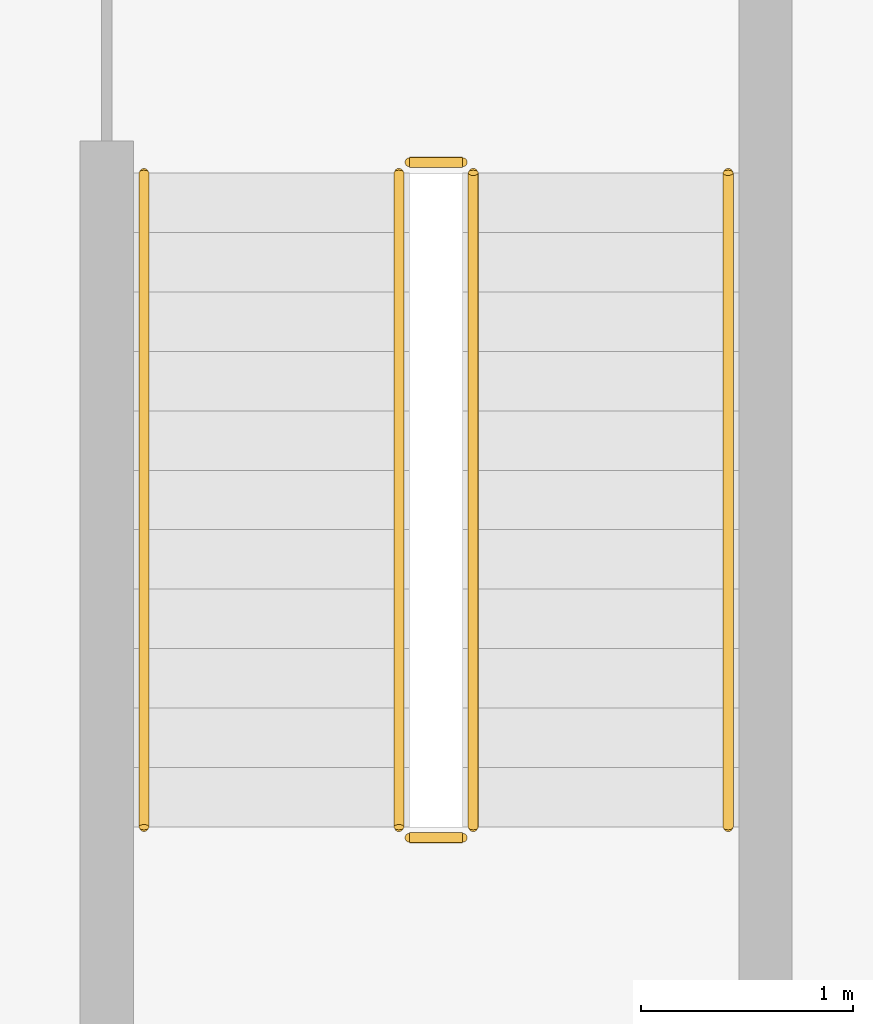
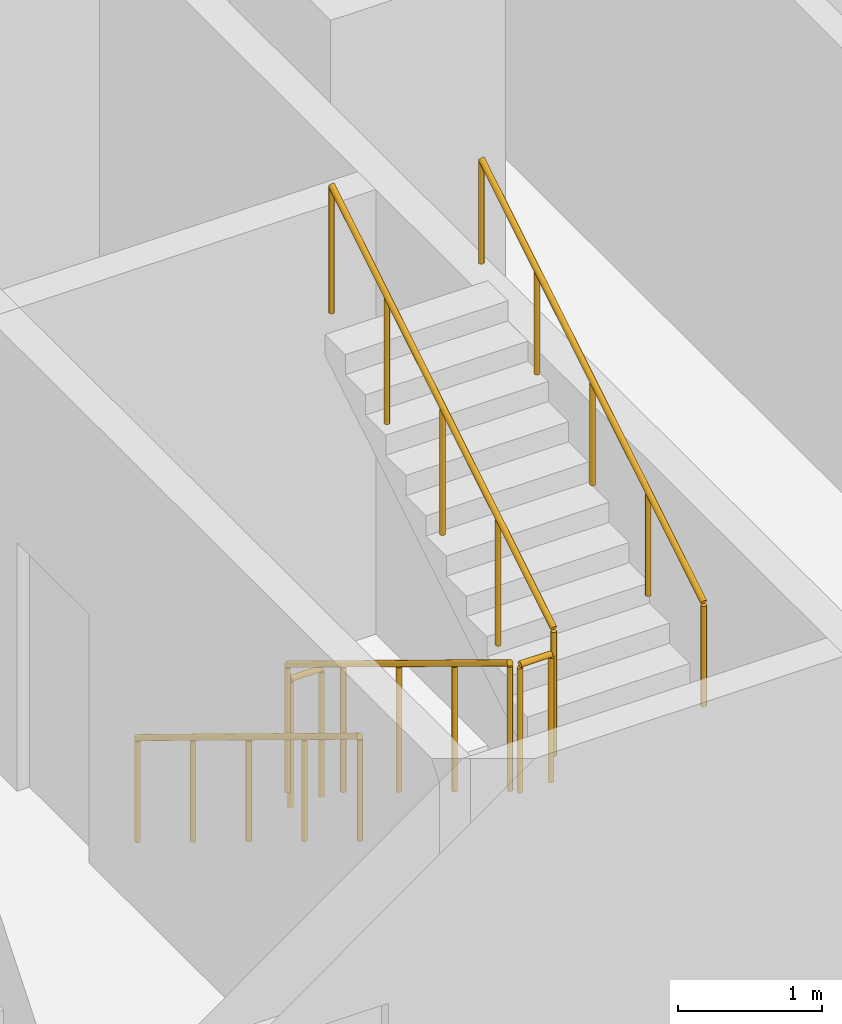
# One storey, part 24 of 29: 6 railings.
"""IFC4 building model written with IfcOpenShell, lengths in metres."""

from ifc_helpers import new_model, si_unit, direction, frame, origin, origin_2d, place, context, subcontext, project, spatial, circle, extrude, material, type_object, element, save


model = new_model("IFC4")

# Units and contexts
model_context = context("Model", 3, precision=1e-05, world=origin(), true_north=direction((0.0, 1.0)))
body_context = subcontext(model_context, "Body", "Model", "MODEL_VIEW")
ifc_project = project(units=[si_unit("LENGTHUNIT", "METRE"), si_unit("AREAUNIT", "SQUARE_METRE"), si_unit("VOLUMEUNIT", "CUBIC_METRE"), si_unit("PLANEANGLEUNIT", "RADIAN"), si_unit("MASSUNIT", "GRAM", prefix="KILO")], contexts=[model_context])

# Site, building, storey
site_placement = place(None, origin())
site = spatial("IfcSite", under=ifc_project, at=site_placement, CompositionType="ELEMENT")
building_placement = place(site_placement, origin())
building = spatial("IfcBuilding", under=site, at=building_placement, Name="Mahtab Terrace Research Tower", CompositionType="ELEMENT")
storey_placement = place(building_placement, frame((0.0, 0.0, 88.89990234375)))
storey = spatial("IfcBuildingStorey", under=building, at=storey_placement, Name="L20", CompositionType="ELEMENT", Elevation=88.89990234375)

# Railings
ifc_material = material(Name="Stainless steel AISI 304", Category="steel")
railing_type_1 = type_object("IfcRailingType", Name="Stair guard 1100", PredefinedType="GUARDRAIL", material=ifc_material)
railing_1_placement = place(storey_placement, frame((2.949951171875, -4.175048828125, 0.1708984375)))
element("IfcRailing", 1, at=railing_1_placement, inside=storey, type_object=railing_type_1, Name="L20 ST2 stair guard 1", PredefinedType="GUARDRAIL", context=body_context, shape_type="SweptSolid", body=[
    extrude(circle(Radius=0.02392578125, at=origin_2d()), frame((0.0, 0.0, 1.076171875), z_axis=(0.0, -0.853647949592, 0.520850437417), x_axis=(1.0, 0.0, 0.0)), (0.0, 0.0, 1.0), 3.60791015625),
    extrude(circle(Radius=0.02099609375, at=origin_2d()), origin(), (0.0, 0.0, 1.0), 1.052001953125),
    extrude(circle(Radius=0.02099609375, at=origin_2d()), frame((0.0, -0.77001953125, 0.4697265625)), (0.0, 0.0, 1.0), 1.052001953125),
    extrude(circle(Radius=0.02099609375, at=origin_2d()), frame((0.0, -1.5400390625, 0.939453125)), (0.0, 0.0, 1.0), 1.052001953125),
    extrude(circle(Radius=0.02099609375, at=origin_2d()), frame((0.0, -2.309814453125, 1.409423828125)), (0.0, 0.0, 1.0), 1.052001953125),
    extrude(circle(Radius=0.02099609375, at=origin_2d()), frame((0.0, -3.079833984375, 1.879150390625)), (0.0, 0.0, 1.0), 1.052001953125),
])
railing_2_placement = place(storey_placement, frame((3.0, -7.304931640625, 2.050048828125)))
element("IfcRailing", 2, at=railing_2_placement, inside=storey, type_object=railing_type_1, Name="L20 ST2 stair guard 2", PredefinedType="GUARDRAIL", context=body_context, shape_type="SweptSolid", body=[
    extrude(circle(Radius=0.02392578125, at=origin_2d()), frame((0.0, 0.0, 1.076171875), z_axis=(1.0, 0.0, 0.0), x_axis=(0.0, 1.0, 0.0)), (0.0, 0.0, 1.0), 0.25),
    extrude(circle(Radius=0.02099609375, at=origin_2d()), origin(), (0.0, 0.0, 1.0), 1.052001953125),
    extrude(circle(Radius=0.02099609375, at=origin_2d()), frame((0.25, 0.0, 0.0)), (0.0, 0.0, 1.0), 1.052001953125),
])
railing_3_placement = place(storey_placement, frame((3.300048828125, -7.2548828125, 2.220947265625)))
element("IfcRailing", 3, at=railing_3_placement, inside=storey, type_object=railing_type_1, Name="L20 ST2 stair guard 3", PredefinedType="GUARDRAIL", context=body_context, shape_type="SweptSolid", body=[
    extrude(circle(Radius=0.02392578125, at=origin_2d()), frame((0.0, 0.0, 1.076171875), z_axis=(0.0, 0.853647949592, 0.520850437417), x_axis=(-1.0, 0.0, 0.0)), (0.0, 0.0, 1.0), 3.60791015625),
    extrude(circle(Radius=0.02099609375, at=origin_2d()), origin(), (0.0, 0.0, 1.0), 1.052001953125),
    extrude(circle(Radius=0.02099609375, at=origin_2d()), frame((0.0, 0.77001953125, 0.4697265625)), (0.0, 0.0, 1.0), 1.052001953125),
    extrude(circle(Radius=0.02099609375, at=origin_2d()), frame((0.0, 1.5400390625, 0.939453125)), (0.0, 0.0, 1.0), 1.052001953125),
    extrude(circle(Radius=0.02099609375, at=origin_2d()), frame((0.0, 2.309814453125, 1.409423828125)), (0.0, 0.0, 1.0), 1.052001953125),
    extrude(circle(Radius=0.02099609375, at=origin_2d()), frame((0.0, 3.079833984375, 1.879150390625)), (0.0, 0.0, 1.0), 1.052001953125),
])
railing_4_placement = place(storey_placement, frame((3.0, -4.125, 0.0)))
element("IfcRailing", 4, at=railing_4_placement, inside=storey, type_object=railing_type_1, Name="L20 ST2 stair guard 4", PredefinedType="GUARDRAIL", context=body_context, shape_type="SweptSolid", body=[
    extrude(circle(Radius=0.02392578125, at=origin_2d()), frame((0.0, 0.0, 1.076171875), z_axis=(1.0, 0.0, 0.0), x_axis=(0.0, 1.0, 0.0)), (0.0, 0.0, 1.0), 0.25),
    extrude(circle(Radius=0.02099609375, at=origin_2d()), origin(), (0.0, 0.0, 1.0), 1.052001953125),
    extrude(circle(Radius=0.02099609375, at=origin_2d()), frame((0.25, 0.0, 0.0)), (0.0, 0.0, 1.0), 1.052001953125),
])
railing_type_2 = type_object("IfcRailingType", Name="Stair handrail 900", PredefinedType="HANDRAIL", material=ifc_material)
railing_5_placement = place(storey_placement, frame((1.75, -4.175048828125, 0.1708984375)))
element("IfcRailing", 5, at=railing_5_placement, inside=storey, type_object=railing_type_2, Name="L20 ST2 stair handrail 1", PredefinedType="HANDRAIL", context=body_context, shape_type="SweptSolid", body=[
    extrude(circle(Radius=0.02392578125, at=origin_2d()), frame((0.0, 0.0, 0.8759765625), z_axis=(0.0, -0.853647949592, 0.520850437417), x_axis=(1.0, 0.0, 0.0)), (0.0, 0.0, 1.0), 3.60791015625),
    extrude(circle(Radius=0.02099609375, at=origin_2d()), origin(), (0.0, 0.0, 1.0), 0.851806640625),
    extrude(circle(Radius=0.02099609375, at=origin_2d()), frame((0.0, -0.77001953125, 0.4697265625)), (0.0, 0.0, 1.0), 0.851806640625),
    extrude(circle(Radius=0.02099609375, at=origin_2d()), frame((0.0, -1.5400390625, 0.939453125)), (0.0, 0.0, 1.0), 0.851806640625),
    extrude(circle(Radius=0.02099609375, at=origin_2d()), frame((0.0, -2.309814453125, 1.409423828125)), (0.0, 0.0, 1.0), 0.851806640625),
    extrude(circle(Radius=0.02099609375, at=origin_2d()), frame((0.0, -3.079833984375, 1.879150390625)), (0.0, 0.0, 1.0), 0.851806640625),
])
railing_6_placement = place(storey_placement, frame((4.5, -7.2548828125, 2.220947265625)))
element("IfcRailing", 6, at=railing_6_placement, inside=storey, type_object=railing_type_2, Name="L20 ST2 stair handrail 2", PredefinedType="HANDRAIL", context=body_context, shape_type="SweptSolid", body=[
    extrude(circle(Radius=0.02392578125, at=origin_2d()), frame((0.0, 0.0, 0.8759765625), z_axis=(0.0, 0.853647949592, 0.520850437417), x_axis=(-1.0, 0.0, 0.0)), (0.0, 0.0, 1.0), 3.60791015625),
    extrude(circle(Radius=0.02099609375, at=origin_2d()), origin(), (0.0, 0.0, 1.0), 0.851806640625),
    extrude(circle(Radius=0.02099609375, at=origin_2d()), frame((0.0, 0.77001953125, 0.4697265625)), (0.0, 0.0, 1.0), 0.851806640625),
    extrude(circle(Radius=0.02099609375, at=origin_2d()), frame((0.0, 1.5400390625, 0.939453125)), (0.0, 0.0, 1.0), 0.851806640625),
    extrude(circle(Radius=0.02099609375, at=origin_2d()), frame((0.0, 2.309814453125, 1.409423828125)), (0.0, 0.0, 1.0), 0.851806640625),
    extrude(circle(Radius=0.02099609375, at=origin_2d()), frame((0.0, 3.079833984375, 1.879150390625)), (0.0, 0.0, 1.0), 0.851806640625),
])

save(model, "model.ifc")
